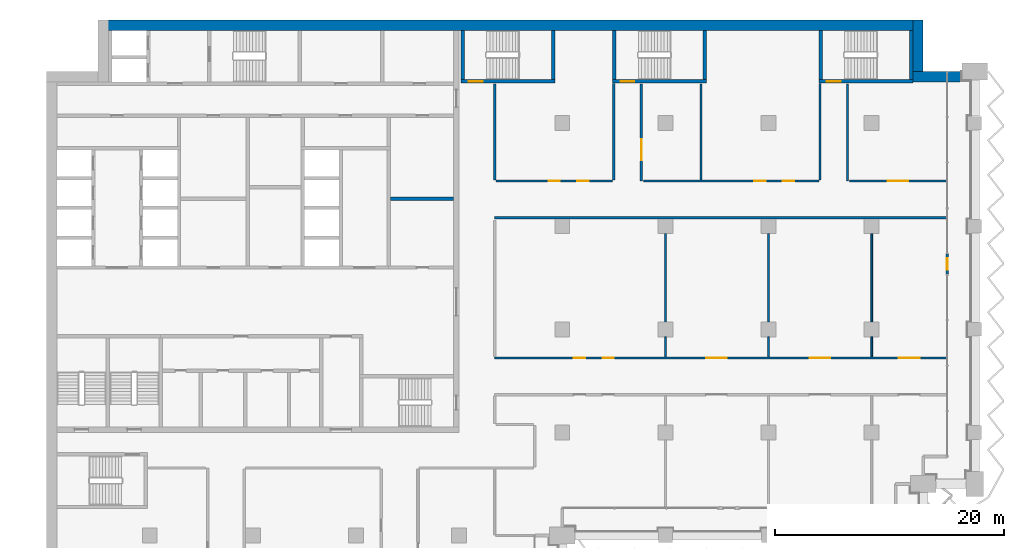
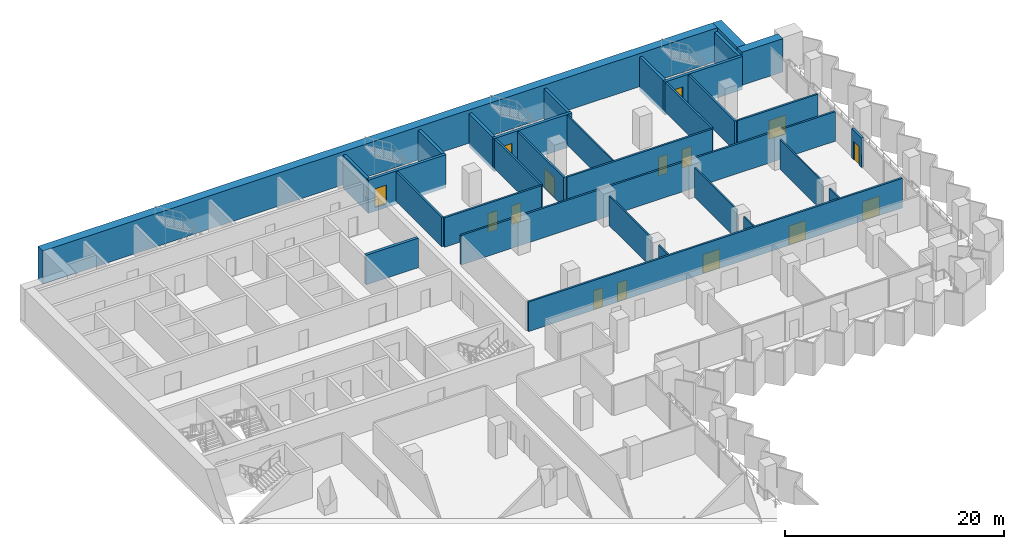
# One storey, part 14 of 22: 31 walls, 15 doors, 15 openings.
"""IFC4 building model written with IfcOpenShell, lengths in metres."""

from ifc_helpers import new_model, si_unit, direction, frame, frame_2d, origin, place, context, subcontext, project, spatial, rectangle, extrude, material, layer, layer_set, type_object, element, fill, save


model = new_model("IFC4")

# Units and contexts
model_context = context("Model", 3, precision=1e-05, world=origin(), true_north=direction((0.0, 1.0)))
body_context = subcontext(model_context, "Body", "Model", "MODEL_VIEW")
ifc_project = project(units=[si_unit("LENGTHUNIT", "METRE"), si_unit("AREAUNIT", "SQUARE_METRE"), si_unit("VOLUMEUNIT", "CUBIC_METRE"), si_unit("PLANEANGLEUNIT", "RADIAN"), si_unit("MASSUNIT", "GRAM", prefix="KILO")], contexts=[model_context])

# Site, building, storey
site_placement = place(None, origin())
site = spatial("IfcSite", under=ifc_project, at=site_placement, CompositionType="ELEMENT")
building_placement = place(site_placement, origin())
building = spatial("IfcBuilding", under=site, at=building_placement, Name="Hunhe Ridgeline Campus", CompositionType="ELEMENT")
storey_placement = place(building_placement, frame((0.0, 0.0, 114.39990234375)))
storey = spatial("IfcBuildingStorey", under=building, at=storey_placement, Name="L28", CompositionType="ELEMENT", Elevation=114.39990234375)

# Wall
ifc_material_1 = material(Name="Masonry concrete blockwork", Category="masonry")
ifc_layer_1 = layer(ifc_material_1, 0.300048828125)
ifc_layer_set_1 = layer_set([ifc_layer_1], Name="Core room partition 300 concrete block")
wall_type_1 = type_object("IfcWallType", Name="Core room partition 300 concrete block", PredefinedType="PARTITIONING", material=ifc_layer_set_1)
wall_1_placement = place(storey_placement, frame((30.0, 83.39990234375, 0.0), z_axis=(0.0, 0.0, 1.0), x_axis=(1.0, 0.0, 0.0)))
element("IfcWall", 1, at=wall_1_placement, inside=storey, type_object=wall_type_1, Name="L28 core partition 21", PredefinedType="PARTITIONING", context=body_context, shape_type="SweptSolid", body=[
    extrude(rectangle(XDim=5.5, YDim=0.300048828125, at=frame_2d((2.75, 0.0))), origin(), (0.0, 0.0, 1.0), 3.300048828125),
])

# Wall, openings, doors
ifc_material_2 = material(Name="Gypsum board partition")
ifc_layer_2 = layer(ifc_material_2, 0.199951171875)
ifc_layer_set_2 = layer_set([ifc_layer_2], Name="Corridor partition 200 gypsum board on steel studs")
wall_type_2 = type_object("IfcWallType", Name="Corridor partition 200 gypsum board on steel studs", PredefinedType="PARTITIONING", material=ifc_layer_set_2)
wall_2_placement = place(storey_placement, frame((39.10009765625, 69.5, 0.0), z_axis=(0.0, 0.0, 1.0), x_axis=(1.0, 0.0, 0.0)))
wall_2 = element("IfcWall", 2, at=wall_2_placement, inside=storey, type_object=wall_type_2, Name="F-L28-wall-036", PredefinedType="PARTITIONING", context=body_context, shape_type="SweptSolid", body=[
    extrude(rectangle(XDim=39.44482421875, YDim=0.199951171875, at=frame_2d((19.722412109375, 0.0))), origin(), (0.0, 0.0, 1.0), 3.300048828125),
])
opening_1_placement = place(wall_2_placement, frame((6.91162109375, 0.0, 0.0)))
opening_1 = element("IfcOpeningElement", 3, at=opening_1_placement, cuts=wall_2, Name="Opening RD1-024", PredefinedType="OPENING", context=body_context, shape_type="SweptSolid", body=[
    extrude(rectangle(XDim=1.0, YDim=2.10009765625, at=frame_2d((0.5, 1.050048828125))), frame((0.0, 0.10009765625, 0.0), z_axis=(0.0, -1.0, 0.0), x_axis=(1.0, 0.0, 0.0)), (0.0, 0.0, 1.0), 0.199951171875),
])
opening_2_placement = place(wall_2_placement, frame((9.41162109375, 0.0, 0.0)))
opening_2 = element("IfcOpeningElement", 4, at=opening_2_placement, cuts=wall_2, Name="Opening RD1-025", PredefinedType="OPENING", context=body_context, shape_type="SweptSolid", body=[
    extrude(rectangle(XDim=1.0, YDim=2.10009765625, at=frame_2d((0.5, 1.050048828125))), frame((0.0, 0.10009765625, 0.0), z_axis=(0.0, -1.0, 0.0), x_axis=(1.0, 0.0, 0.0)), (0.0, 0.0, 1.0), 0.199951171875),
])
opening_3_placement = place(wall_2_placement, frame((18.445556640625, 0.0, 0.0)))
opening_3 = element("IfcOpeningElement", 5, at=opening_3_placement, cuts=wall_2, Name="Opening RD2-026", PredefinedType="OPENING", context=body_context, shape_type="SweptSolid", body=[
    extrude(rectangle(XDim=1.800048828125, YDim=2.10009765625, at=frame_2d((0.89990234375, 1.050048828125))), frame((0.0, 0.10009765625, 0.0), z_axis=(0.0, -1.0, 0.0), x_axis=(1.0, 0.0, 0.0)), (0.0, 0.0, 1.0), 0.199951171875),
])
opening_4_placement = place(wall_2_placement, frame((27.490478515625, 0.0, 0.0)))
opening_4 = element("IfcOpeningElement", 6, at=opening_4_placement, cuts=wall_2, Name="Opening RD2-027", PredefinedType="OPENING", context=body_context, shape_type="SweptSolid", body=[
    extrude(rectangle(XDim=1.800048828125, YDim=2.10009765625, at=frame_2d((0.89990234375, 1.050048828125))), frame((0.0, 0.10009765625, 0.0), z_axis=(0.0, -1.0, 0.0), x_axis=(1.0, 0.0, 0.0)), (0.0, 0.0, 1.0), 0.199951171875),
])
opening_5_placement = place(wall_2_placement, frame((35.27880859375, 0.0, 0.0)))
opening_5 = element("IfcOpeningElement", 7, at=opening_5_placement, cuts=wall_2, Name="Opening RD2-028", PredefinedType="OPENING", context=body_context, shape_type="SweptSolid", body=[
    extrude(rectangle(XDim=1.800048828125, YDim=2.10009765625, at=frame_2d((0.89990234375, 1.050048828125))), frame((0.0, 0.10009765625, 0.0), z_axis=(0.0, -1.0, 0.0), x_axis=(1.0, 0.0, 0.0)), (0.0, 0.0, 1.0), 0.199951171875),
])
ifc_material_3 = material(Name="Timber door leaf", Category="wood")
door_type_1 = type_object("IfcDoorType", Name="Double fire door 1800x2100 timber FD60", OperationType="DOUBLE_DOOR_SINGLE_SWING", PredefinedType="DOOR", material=ifc_material_3)
door_1_placement = place(opening_3_placement, origin())
door_1 = element("IfcDoor", 8, at=door_1_placement, inside=storey, type_object=door_type_1, Name="F-L28-door-026", OperationType="DOUBLE_DOOR_SINGLE_SWING", OverallHeight=2.10009765625, OverallWidth=1.800048828125, PredefinedType="DOOR", context=body_context, shape_type="SweptSolid", body=[
    extrude(rectangle(XDim=1.800048828125, YDim=2.10009765625, at=frame_2d((0.89990234375, 1.050048828125))), frame((0.0, 0.02490234375, 0.0), z_axis=(0.0, -1.0, 0.0), x_axis=(1.0, 0.0, 0.0)), (0.0, 0.0, 1.0), 0.050048828125),
])
fill(opening_3, door_1)
door_2_placement = place(opening_4_placement, origin())
door_2 = element("IfcDoor", 9, at=door_2_placement, inside=storey, type_object=door_type_1, Name="F-L28-door-027", OperationType="DOUBLE_DOOR_SINGLE_SWING", OverallHeight=2.10009765625, OverallWidth=1.800048828125, PredefinedType="DOOR", context=body_context, shape_type="SweptSolid", body=[
    extrude(rectangle(XDim=1.800048828125, YDim=2.10009765625, at=frame_2d((0.89990234375, 1.050048828125))), frame((0.0, 0.02490234375, 0.0), z_axis=(0.0, -1.0, 0.0), x_axis=(1.0, 0.0, 0.0)), (0.0, 0.0, 1.0), 0.050048828125),
])
fill(opening_4, door_2)
door_3_placement = place(opening_5_placement, origin())
door_3 = element("IfcDoor", 10, at=door_3_placement, inside=storey, type_object=door_type_1, Name="F-L28-door-028", OperationType="DOUBLE_DOOR_SINGLE_SWING", OverallHeight=2.10009765625, OverallWidth=1.800048828125, PredefinedType="DOOR", context=body_context, shape_type="SweptSolid", body=[
    extrude(rectangle(XDim=1.800048828125, YDim=2.10009765625, at=frame_2d((0.89990234375, 1.050048828125))), frame((0.0, 0.02490234375, 0.0), z_axis=(0.0, -1.0, 0.0), x_axis=(1.0, 0.0, 0.0)), (0.0, 0.0, 1.0), 0.050048828125),
])
fill(opening_5, door_3)
door_type_2 = type_object("IfcDoorType", Name="Single fire door 1000x2100 timber FD60", OperationType="NOTDEFINED", PredefinedType="DOOR", material=ifc_material_3)
door_4_placement = place(opening_1_placement, frame((1.0, 0.0, 0.0), z_axis=(0.0, 0.0, 1.0), x_axis=(-1.0, 0.0, 0.0)))
door_4 = element("IfcDoor", 11, at=door_4_placement, inside=storey, type_object=door_type_2, Name="F-L28-door-024", OperationType="SINGLE_SWING_RIGHT", OverallHeight=2.10009765625, OverallWidth=1.0, PredefinedType="DOOR", context=body_context, shape_type="SweptSolid", body=[
    extrude(rectangle(XDim=1.0, YDim=2.10009765625, at=frame_2d((0.5, 1.050048828125))), frame((0.0, 0.02490234375, 0.0), z_axis=(0.0, -1.0, 0.0), x_axis=(1.0, 0.0, 0.0)), (0.0, 0.0, 1.0), 0.050048828125),
])
fill(opening_1, door_4)
door_5_placement = place(opening_2_placement, frame((1.0, 0.0, 0.0), z_axis=(0.0, 0.0, 1.0), x_axis=(-1.0, 0.0, 0.0)))
door_5 = element("IfcDoor", 12, at=door_5_placement, inside=storey, type_object=door_type_2, Name="F-L28-door-025", OperationType="SINGLE_SWING_LEFT", OverallHeight=2.10009765625, OverallWidth=1.0, PredefinedType="DOOR", context=body_context, shape_type="SweptSolid", body=[
    extrude(rectangle(XDim=1.0, YDim=2.10009765625, at=frame_2d((0.5, 1.050048828125))), frame((0.0, 0.02490234375, 0.0), z_axis=(0.0, -1.0, 0.0), x_axis=(1.0, 0.0, 0.0)), (0.0, 0.0, 1.0), 0.050048828125),
])
fill(opening_2, door_5)

# Wall
wall_3_placement = place(storey_placement, frame((78.544921875, 81.75, 0.0), z_axis=(0.0, 0.0, 1.0), x_axis=(-1.0, 0.0, 0.0)))
element("IfcWall", 13, at=wall_3_placement, inside=storey, type_object=wall_type_2, Name="F-L28-wall-037", PredefinedType="PARTITIONING", context=body_context, shape_type="SweptSolid", body=[
    extrude(rectangle(XDim=39.44482421875, YDim=0.199951171875, at=frame_2d((19.722412109375, 0.0))), origin(), (0.0, 0.0, 1.0), 3.300048828125),
])

# Wall, openings, doors
wall_4_placement = place(storey_placement, frame((39.199951171875, 84.949951171875, 0.0), z_axis=(0.0, 0.0, 1.0), x_axis=(1.0, 0.0, 0.0)))
wall_4 = element("IfcWall", 14, at=wall_4_placement, inside=storey, type_object=wall_type_2, Name="F-L28-wall-038", PredefinedType="PARTITIONING", context=body_context, shape_type="SweptSolid", body=[
    extrude(rectangle(XDim=10.199951171875, YDim=0.199951171875, at=frame_2d((5.10009765625, 0.0))), origin(), (0.0, 0.0, 1.0), 3.300048828125),
])
opening_6_placement = place(wall_4_placement, frame((4.60009765625, 0.0, 0.0)))
opening_6 = element("IfcOpeningElement", 15, at=opening_6_placement, cuts=wall_4, Name="Opening RD1-029", PredefinedType="OPENING", context=body_context, shape_type="SweptSolid", body=[
    extrude(rectangle(XDim=1.0, YDim=2.10009765625, at=frame_2d((0.5, 1.050048828125))), frame((0.0, 0.10009765625, 0.0), z_axis=(0.0, -1.0, 0.0), x_axis=(1.0, 0.0, 0.0)), (0.0, 0.0, 1.0), 0.199951171875),
])
opening_7_placement = place(wall_4_placement, frame((7.10009765625, 0.0, 0.0)))
opening_7 = element("IfcOpeningElement", 16, at=opening_7_placement, cuts=wall_4, Name="Opening RD1-030", PredefinedType="OPENING", context=body_context, shape_type="SweptSolid", body=[
    extrude(rectangle(XDim=1.0, YDim=2.10009765625, at=frame_2d((0.5, 1.050048828125))), frame((0.0, 0.10009765625, 0.0), z_axis=(0.0, -1.0, 0.0), x_axis=(1.0, 0.0, 0.0)), (0.0, 0.0, 1.0), 0.199951171875),
])
door_6_placement = place(opening_6_placement, frame((1.0, 0.0, 0.0), z_axis=(0.0, 0.0, 1.0), x_axis=(-1.0, 0.0, 0.0)))
door_6 = element("IfcDoor", 17, at=door_6_placement, inside=storey, type_object=door_type_2, Name="F-L28-door-029", OperationType="SINGLE_SWING_LEFT", OverallHeight=2.10009765625, OverallWidth=1.0, PredefinedType="DOOR", context=body_context, shape_type="SweptSolid", body=[
    extrude(rectangle(XDim=1.0, YDim=2.10009765625, at=frame_2d((0.5, 1.050048828125))), frame((0.0, 0.02490234375, 0.0), z_axis=(0.0, -1.0, 0.0), x_axis=(1.0, 0.0, 0.0)), (0.0, 0.0, 1.0), 0.050048828125),
])
fill(opening_6, door_6)
door_7_placement = place(opening_7_placement, frame((1.0, 0.0, 0.0), z_axis=(0.0, 0.0, 1.0), x_axis=(-1.0, 0.0, 0.0)))
door_7 = element("IfcDoor", 18, at=door_7_placement, inside=storey, type_object=door_type_2, Name="F-L28-door-030", OperationType="SINGLE_SWING_LEFT", OverallHeight=2.10009765625, OverallWidth=1.0, PredefinedType="DOOR", context=body_context, shape_type="SweptSolid", body=[
    extrude(rectangle(XDim=1.0, YDim=2.10009765625, at=frame_2d((0.5, 1.050048828125))), frame((0.0, 0.02490234375, 0.0), z_axis=(0.0, -1.0, 0.0), x_axis=(1.0, 0.0, 0.0)), (0.0, 0.0, 1.0), 0.050048828125),
])
fill(opening_7, door_7)

wall_5_placement = place(storey_placement, frame((52.081787109375, 84.949951171875, 0.0), z_axis=(0.0, 0.0, 1.0), x_axis=(1.0, 0.0, 0.0)))
wall_5 = element("IfcWall", 19, at=wall_5_placement, inside=storey, type_object=wall_type_2, Name="F-L28-wall-039", PredefinedType="PARTITIONING", context=body_context, shape_type="SweptSolid", body=[
    extrude(rectangle(XDim=15.318115234375, YDim=0.199951171875, at=frame_2d((7.6591796875, 0.0))), origin(), (0.0, 0.0, 1.0), 3.300048828125),
])
opening_8_placement = place(wall_5_placement, frame((9.670166015625, 0.0, 0.0)))
opening_8 = element("IfcOpeningElement", 20, at=opening_8_placement, cuts=wall_5, Name="Opening RD1-031", PredefinedType="OPENING", context=body_context, shape_type="SweptSolid", body=[
    extrude(rectangle(XDim=1.0, YDim=2.10009765625, at=frame_2d((0.5, 1.050048828125))), frame((0.0, 0.10009765625, 0.0), z_axis=(0.0, -1.0, 0.0), x_axis=(1.0, 0.0, 0.0)), (0.0, 0.0, 1.0), 0.199951171875),
])
opening_9_placement = place(wall_5_placement, frame((12.170166015625, 0.0, 0.0)))
opening_9 = element("IfcOpeningElement", 21, at=opening_9_placement, cuts=wall_5, Name="Opening RD1-032", PredefinedType="OPENING", context=body_context, shape_type="SweptSolid", body=[
    extrude(rectangle(XDim=1.0, YDim=2.10009765625, at=frame_2d((0.5, 1.050048828125))), frame((0.0, 0.10009765625, 0.0), z_axis=(0.0, -1.0, 0.0), x_axis=(1.0, 0.0, 0.0)), (0.0, 0.0, 1.0), 0.199951171875),
])
door_8_placement = place(opening_8_placement, frame((1.0, 0.0, 0.0), z_axis=(0.0, 0.0, 1.0), x_axis=(-1.0, 0.0, 0.0)))
door_8 = element("IfcDoor", 22, at=door_8_placement, inside=storey, type_object=door_type_2, Name="F-L28-door-031", OperationType="SINGLE_SWING_LEFT", OverallHeight=2.10009765625, OverallWidth=1.0, PredefinedType="DOOR", context=body_context, shape_type="SweptSolid", body=[
    extrude(rectangle(XDim=1.0, YDim=2.10009765625, at=frame_2d((0.5, 1.050048828125))), frame((0.0, 0.02490234375, 0.0), z_axis=(0.0, -1.0, 0.0), x_axis=(1.0, 0.0, 0.0)), (0.0, 0.0, 1.0), 0.050048828125),
])
fill(opening_8, door_8)
door_9_placement = place(opening_9_placement, frame((1.0, 0.0, 0.0), z_axis=(0.0, 0.0, 1.0), x_axis=(-1.0, 0.0, 0.0)))
door_9 = element("IfcDoor", 23, at=door_9_placement, inside=storey, type_object=door_type_2, Name="F-L28-door-032", OperationType="SINGLE_SWING_LEFT", OverallHeight=2.10009765625, OverallWidth=1.0, PredefinedType="DOOR", context=body_context, shape_type="SweptSolid", body=[
    extrude(rectangle(XDim=1.0, YDim=2.10009765625, at=frame_2d((0.5, 1.050048828125))), frame((0.0, 0.02490234375, 0.0), z_axis=(0.0, -1.0, 0.0), x_axis=(1.0, 0.0, 0.0)), (0.0, 0.0, 1.0), 0.050048828125),
])
fill(opening_9, door_9)

# Wall, opening, door
wall_6_placement = place(storey_placement, frame((70.056884765625, 84.949951171875, 0.0), z_axis=(0.0, 0.0, 1.0), x_axis=(1.0, 0.0, 0.0)))
wall_6 = element("IfcWall", 24, at=wall_6_placement, inside=storey, type_object=wall_type_2, Name="F-L28-wall-040", PredefinedType="PARTITIONING", context=body_context, shape_type="SweptSolid", body=[
    extrude(rectangle(XDim=8.488037109375, YDim=0.199951171875, at=frame_2d((4.244140625, 0.0))), origin(), (0.0, 0.0, 1.0), 3.300048828125),
])
opening_10_placement = place(wall_6_placement, frame((3.343994140625, 0.0, 0.0)))
opening_10 = element("IfcOpeningElement", 25, at=opening_10_placement, cuts=wall_6, Name="Opening RD2-033", PredefinedType="OPENING", context=body_context, shape_type="SweptSolid", body=[
    extrude(rectangle(XDim=1.800048828125, YDim=2.10009765625, at=frame_2d((0.89990234375, 1.050048828125))), frame((0.0, 0.10009765625, 0.0), z_axis=(0.0, -1.0, 0.0), x_axis=(1.0, 0.0, 0.0)), (0.0, 0.0, 1.0), 0.199951171875),
])
door_10_placement = place(opening_10_placement, origin())
door_10 = element("IfcDoor", 26, at=door_10_placement, inside=storey, type_object=door_type_1, Name="F-L28-door-033", OperationType="DOUBLE_DOOR_SINGLE_SWING", OverallHeight=2.10009765625, OverallWidth=1.800048828125, PredefinedType="DOOR", context=body_context, shape_type="SweptSolid", body=[
    extrude(rectangle(XDim=1.800048828125, YDim=2.10009765625, at=frame_2d((0.89990234375, 1.050048828125))), frame((0.0, 0.02490234375, 0.0), z_axis=(0.0, -1.0, 0.0), x_axis=(1.0, 0.0, 0.0)), (0.0, 0.0, 1.0), 0.050048828125),
])
fill(opening_10, door_10)

# Walls
wall_7_placement = place(storey_placement, frame((39.10009765625, 93.39599609375, 0.0), z_axis=(0.0, 0.0, 1.0), x_axis=(0.0, -1.0, 0.0)))
element("IfcWall", 27, at=wall_7_placement, inside=storey, type_object=wall_type_2, Name="F-L28-wall-052", PredefinedType="PARTITIONING", context=body_context, shape_type="SweptSolid", body=[
    extrude(rectangle(XDim=8.345947265625, YDim=0.199951171875, at=frame_2d((4.1728515625, 0.0))), origin(), (0.0, 0.0, 1.0), 3.300048828125),
])
wall_8_placement = place(storey_placement, frame((49.5, 85.050048828125, 0.0), z_axis=(0.0, 0.0, 1.0), x_axis=(0.0, 1.0, 0.0)))
element("IfcWall", 28, at=wall_8_placement, inside=storey, type_object=wall_type_2, Name="F-L28-wall-054", PredefinedType="PARTITIONING", context=body_context, shape_type="SweptSolid", body=[
    extrude(rectangle(XDim=8.419921875, YDim=0.199951171875, at=frame_2d((4.2099609375, 0.0))), origin(), (0.0, 0.0, 1.0), 3.300048828125),
])

# Wall, opening, door
wall_9_placement = place(storey_placement, frame((51.89990234375, 93.39599609375, 0.0), z_axis=(0.0, 0.0, 1.0), x_axis=(0.0, -1.0, 0.0)))
wall_9 = element("IfcWall", 29, at=wall_9_placement, inside=storey, type_object=wall_type_2, Name="F-L28-wall-055", PredefinedType="PARTITIONING", context=body_context, shape_type="SweptSolid", body=[
    extrude(rectangle(XDim=8.446044921875, YDim=0.199951171875, at=frame_2d((4.22314453125, 0.0))), origin(), (0.0, 0.0, 1.0), 3.300048828125),
])
opening_11_placement = place(wall_9_placement, frame((4.822998046875, 0.0, 0.0)))
opening_11 = element("IfcOpeningElement", 30, at=opening_11_placement, cuts=wall_9, Name="Opening RD2-034", PredefinedType="OPENING", context=body_context, shape_type="SweptSolid", body=[
    extrude(rectangle(XDim=1.800048828125, YDim=2.10009765625, at=frame_2d((0.89990234375, 1.050048828125))), frame((0.0, 0.10009765625, 0.0), z_axis=(0.0, -1.0, 0.0), x_axis=(1.0, 0.0, 0.0)), (0.0, 0.0, 1.0), 0.199951171875),
])
door_11_placement = place(opening_11_placement, origin())
door_11 = element("IfcDoor", 31, at=door_11_placement, inside=storey, type_object=door_type_1, Name="F-L28-door-034", OperationType="DOUBLE_DOOR_SINGLE_SWING", OverallHeight=2.10009765625, OverallWidth=1.800048828125, PredefinedType="DOOR", context=body_context, shape_type="SweptSolid", body=[
    extrude(rectangle(XDim=1.800048828125, YDim=2.10009765625, at=frame_2d((0.89990234375, 1.050048828125))), frame((0.0, 0.02490234375, 0.0), z_axis=(0.0, -1.0, 0.0), x_axis=(1.0, 0.0, 0.0)), (0.0, 0.0, 1.0), 0.050048828125),
])
fill(opening_11, door_11)

# Walls
wall_10_placement = place(storey_placement, frame((67.5, 85.050048828125, 0.0), z_axis=(0.0, 0.0, 1.0), x_axis=(0.0, 1.0, 0.0)))
element("IfcWall", 32, at=wall_10_placement, inside=storey, type_object=wall_type_2, Name="F-L28-wall-065", PredefinedType="PARTITIONING", context=body_context, shape_type="SweptSolid", body=[
    extrude(rectangle(XDim=8.419921875, YDim=0.199951171875, at=frame_2d((4.2099609375, 0.0))), origin(), (0.0, 0.0, 1.0), 3.300048828125),
])
wall_11_placement = place(storey_placement, frame((69.89990234375, 93.39599609375, 0.0), z_axis=(0.0, 0.0, 1.0), x_axis=(0.0, -1.0, 0.0)))
element("IfcWall", 33, at=wall_11_placement, inside=storey, type_object=wall_type_2, Name="F-L28-wall-066", PredefinedType="PARTITIONING", context=body_context, shape_type="SweptSolid", body=[
    extrude(rectangle(XDim=8.446044921875, YDim=0.199951171875, at=frame_2d((4.22314453125, 0.0))), origin(), (0.0, 0.0, 1.0), 3.300048828125),
])

# Wall, opening, door
ifc_material_4 = material(Name="Concrete C30", Category="concrete")
ifc_layer_3 = layer(ifc_material_4, 0.25)
ifc_layer_set_3 = layer_set([ifc_layer_3], Name="Loggia door pier wall 250 Concrete C30")
wall_type_3 = type_object("IfcWallType", Name="Loggia door pier wall 250 Concrete C30", PredefinedType="SOLIDWALL", material=ifc_layer_set_3)
wall_12_placement = place(storey_placement, frame((78.59912109375, 76.800537109375, 0.0), z_axis=(0.0, 0.0, 1.0), x_axis=(0.0, 1.0, 0.0)))
wall_12 = element("IfcWall", 34, at=wall_12_placement, inside=storey, type_object=wall_type_3, Name="Loggia door pier 4", PredefinedType="SOLIDWALL", context=body_context, shape_type="SweptSolid", body=[
    extrude(rectangle(XDim=1.800048828125, YDim=0.25, at=frame_2d((0.89990234375, 0.0))), origin(), (0.0, 0.0, 1.0), 3.300048828125),
])
opening_12_placement = place(wall_12_placement, frame((0.39990234375, 0.0, 0.0)))
opening_12 = element("IfcOpeningElement", 35, at=opening_12_placement, cuts=wall_12, Name="Opening BD207", PredefinedType="OPENING", context=body_context, shape_type="SweptSolid", body=[
    extrude(rectangle(XDim=1.0, YDim=2.10009765625, at=frame_2d((0.5, 1.050048828125))), frame((0.0, 0.125, 0.0), z_axis=(0.0, -1.0, 0.0), x_axis=(1.0, 0.0, 0.0)), (0.0, 0.0, 1.0), 0.25),
])
ifc_material_5 = material(Name="Aluminium 6063", Category="aluminium")
door_type_3 = type_object("IfcDoorType", Name="Loggia glazed door 1000x2100", OperationType="NOTDEFINED", PredefinedType="DOOR", material=ifc_material_5)
door_12_placement = place(opening_12_placement, frame((1.0, 0.0, 0.0), z_axis=(0.0, 0.0, 1.0), x_axis=(-1.0, 0.0, 0.0)))
door_12 = element("IfcDoor", 36, at=door_12_placement, inside=storey, type_object=door_type_3, Name="Loggia door BD207", OperationType="SINGLE_SWING_RIGHT", OverallHeight=2.10009765625, OverallWidth=1.0, PredefinedType="DOOR", context=body_context, shape_type="SweptSolid", body=[
    extrude(rectangle(XDim=1.0, YDim=2.10009765625, at=frame_2d((0.5, 1.050048828125))), frame((0.0, 0.02490234375, 0.0), z_axis=(0.0, -1.0, 0.0), x_axis=(1.0, 0.0, 0.0)), (0.0, 0.0, 1.0), 0.050048828125),
])
fill(opening_12, door_12)

# Walls
ifc_layer_4 = layer(ifc_material_2, 0.14990234375)
ifc_layer_set_4 = layer_set([ifc_layer_4], Name="Room partition 150 gypsum board on steel studs")
wall_type_4 = type_object("IfcWallType", Name="Room partition 150 gypsum board on steel studs", PredefinedType="PARTITIONING", material=ifc_layer_set_4)
wall_13_placement = place(storey_placement, frame((54.0, 71.35009765625, 0.0), z_axis=(0.0, 0.0, 1.0), x_axis=(0.0, -1.0, 0.0)))
element("IfcWall", 37, at=wall_13_placement, inside=storey, type_object=wall_type_4, Name="F-L28-wall-058", PredefinedType="PARTITIONING", context=body_context, shape_type="SweptSolid", body=[
    extrude(rectangle(XDim=1.75, YDim=0.14990234375, at=frame_2d((0.875, 0.0))), origin(), (0.0, 0.0, 1.0), 3.300048828125),
])
wall_14_placement = place(storey_placement, frame((54.0, 80.35009765625, 0.0), z_axis=(0.0, 0.0, 1.0), x_axis=(0.0, -1.0, 0.0)))
element("IfcWall", 38, at=wall_14_placement, inside=storey, type_object=wall_type_4, Name="F-L28-wall-059", PredefinedType="PARTITIONING", context=body_context, shape_type="SweptSolid", body=[
    extrude(rectangle(XDim=7.7001953125, YDim=0.14990234375, at=frame_2d((3.85009765625, 0.0))), origin(), (0.0, 0.0, 1.0), 3.300048828125),
])
wall_15_placement = place(storey_placement, frame((57.10009765625, 93.39599609375, 0.0), z_axis=(0.0, 0.0, 1.0), x_axis=(0.0, -1.0, 0.0)))
element("IfcWall", 39, at=wall_15_placement, inside=storey, type_object=wall_type_4, Name="F-L28-wall-060", PredefinedType="PARTITIONING", context=body_context, shape_type="SweptSolid", body=[
    extrude(rectangle(XDim=8.345947265625, YDim=0.14990234375, at=frame_2d((4.1728515625, 0.0))), origin(), (0.0, 0.0, 1.0), 3.300048828125),
])
wall_16_placement = place(storey_placement, frame((63.0, 71.35009765625, 0.0), z_axis=(0.0, 0.0, 1.0), x_axis=(0.0, -1.0, 0.0)))
element("IfcWall", 40, at=wall_16_placement, inside=storey, type_object=wall_type_4, Name="F-L28-wall-063", PredefinedType="PARTITIONING", context=body_context, shape_type="SweptSolid", body=[
    extrude(rectangle(XDim=1.75, YDim=0.14990234375, at=frame_2d((0.875, 0.0))), origin(), (0.0, 0.0, 1.0), 3.300048828125),
])
wall_17_placement = place(storey_placement, frame((63.0, 80.35009765625, 0.0), z_axis=(0.0, 0.0, 1.0), x_axis=(0.0, -1.0, 0.0)))
element("IfcWall", 41, at=wall_17_placement, inside=storey, type_object=wall_type_4, Name="F-L28-wall-064", PredefinedType="PARTITIONING", context=body_context, shape_type="SweptSolid", body=[
    extrude(rectangle(XDim=7.7001953125, YDim=0.14990234375, at=frame_2d((3.85009765625, 0.0))), origin(), (0.0, 0.0, 1.0), 3.300048828125),
])
wall_18_placement = place(storey_placement, frame((72.0, 71.35009765625, 0.0), z_axis=(0.0, 0.0, 1.0), x_axis=(0.0, -1.0, 0.0)))
element("IfcWall", 42, at=wall_18_placement, inside=storey, type_object=wall_type_4, Name="F-L28-wall-069", PredefinedType="PARTITIONING", context=body_context, shape_type="SweptSolid", body=[
    extrude(rectangle(XDim=1.75, YDim=0.14990234375, at=frame_2d((0.875, 0.0))), origin(), (0.0, 0.0, 1.0), 3.300048828125),
])
wall_19_placement = place(storey_placement, frame((72.0, 80.35009765625, 0.0), z_axis=(0.0, 0.0, 1.0), x_axis=(0.0, -1.0, 0.0)))
element("IfcWall", 43, at=wall_19_placement, inside=storey, type_object=wall_type_4, Name="F-L28-wall-070", PredefinedType="PARTITIONING", context=body_context, shape_type="SweptSolid", body=[
    extrude(rectangle(XDim=7.7001953125, YDim=0.14990234375, at=frame_2d((3.85009765625, 0.0))), origin(), (0.0, 0.0, 1.0), 3.300048828125),
])
ifc_material_6 = material(Name="Concrete C70", Category="concrete")
ifc_layer_5 = layer(ifc_material_6, 0.89990234375)
ifc_layer_set_5 = layer_set([ifc_layer_5], Name="Spine wall 900 Concrete C70")
wall_type_5 = type_object("IfcWallType", Name="Spine wall 900 Concrete C70", PredefinedType="SHEAR", material=ifc_layer_set_5)
wall_20_placement = place(storey_placement, frame((79.89990234375, 94.050048828125, 0.0), z_axis=(0.0, 0.0, 1.0), x_axis=(-1.0, 0.0, 0.0)))
element("IfcWall", 44, at=wall_20_placement, inside=storey, type_object=wall_type_5, Name="Spine wall SW2-2 L28", PredefinedType="SHEAR", context=body_context, shape_type="SweptSolid", body=[
    extrude(rectangle(XDim=4.30029296875, YDim=0.89990234375, at=frame_2d((2.150146484375, 0.0))), origin(), (0.0, 0.0, 1.0), 3.7001953125),
])
wall_21_placement = place(storey_placement, frame((76.050048828125, 93.60009765625, 0.0), z_axis=(0.0, 0.0, 1.0), x_axis=(0.0, 1.0, 0.0)))
element("IfcWall", 45, at=wall_21_placement, inside=storey, type_object=wall_type_5, Name="Spine wall SW2-3 L28", PredefinedType="SHEAR", context=body_context, shape_type="SweptSolid", body=[
    extrude(rectangle(XDim=5.39990234375, YDim=0.89990234375, at=frame_2d((2.699951171875, 0.0))), origin(), (0.0, 0.0, 1.0), 3.7001953125),
])
wall_22_placement = place(storey_placement, frame((76.5, 98.550048828125, 0.0), z_axis=(0.0, 0.0, 1.0), x_axis=(-1.0, 0.0, 0.0)))
element("IfcWall", 46, at=wall_22_placement, inside=storey, type_object=wall_type_5, Name="Spine wall SW2-4 L28", PredefinedType="SHEAR", context=body_context, shape_type="SweptSolid", body=[
    extrude(rectangle(XDim=72.0, YDim=0.89990234375, at=frame_2d((36.0, 0.0))), origin(), (0.0, 0.0, 1.0), 3.7001953125),
])

# Wall, opening, door
ifc_material_7 = material(Name="Concrete C80", Category="concrete")
ifc_layer_6 = layer(ifc_material_7, 0.300048828125)
ifc_layer_set_6 = layer_set([ifc_layer_6], Name="Stair wall 300 reinforced concrete C80")
wall_type_6 = type_object("IfcWallType", Name="Stair wall 300 reinforced concrete C80", PredefinedType="SOLIDWALL", material=ifc_layer_set_6)
wall_23_placement = place(storey_placement, frame((36.14990234375, 93.64990234375, -0.39990234375), z_axis=(0.0, 0.0, 1.0), x_axis=(1.0, 0.0, 0.0)))
wall_23 = element("IfcWall", 47, at=wall_23_placement, inside=storey, type_object=wall_type_6, Name="L28 core wall 30", PredefinedType="SOLIDWALL", context=body_context, shape_type="SweptSolid", body=[
    extrude(rectangle(XDim=8.2001953125, YDim=0.300048828125, at=frame_2d((4.10009765625, 0.0))), origin(), (0.0, 0.0, 1.0), 3.699951171875),
])
opening_13_placement = place(wall_23_placement, frame((0.699951171875, 0.0, 0.39990234375)))
opening_13 = element("IfcOpeningElement", 48, at=opening_13_placement, cuts=wall_23, Name="Opening CD17", PredefinedType="OPENING", context=body_context, shape_type="SweptSolid", body=[
    extrude(rectangle(XDim=1.199951171875, YDim=2.10009765625, at=frame_2d((0.60009765625, 1.050048828125))), frame((0.0, 0.14990234375, 0.0), z_axis=(0.0, -1.0, 0.0), x_axis=(1.0, 0.0, 0.0)), (0.0, 0.0, 1.0), 0.300048828125),
])
ifc_material_8 = material(Name="Hollow metal fire door leaf")
door_type_4 = type_object("IfcDoorType", Name="Stair door 1200x2100 FD60", OperationType="SINGLE_SWING_LEFT", PredefinedType="DOOR", material=ifc_material_8)
door_13_placement = place(opening_13_placement, frame((1.199951171875, 0.0, 0.0), z_axis=(0.0, 0.0, 1.0), x_axis=(-1.0, 0.0, 0.0)))
door_13 = element("IfcDoor", 49, at=door_13_placement, inside=storey, type_object=door_type_4, Name="L28 door E1", OperationType="SINGLE_SWING_RIGHT", OverallHeight=2.10009765625, OverallWidth=1.199951171875, PredefinedType="DOOR", context=body_context, shape_type="SweptSolid", body=[
    extrude(rectangle(XDim=1.199951171875, YDim=2.10009765625, at=frame_2d((0.60009765625, 1.050048828125))), frame((0.0, 0.02490234375, 0.0), z_axis=(0.0, -1.0, 0.0), x_axis=(1.0, 0.0, 0.0)), (0.0, 0.0, 1.0), 0.050048828125),
])
fill(opening_13, door_13)

wall_24_placement = place(storey_placement, frame((49.39990234375, 93.64990234375, -0.39990234375), z_axis=(0.0, 0.0, 1.0), x_axis=(1.0, 0.0, 0.0)))
wall_24 = element("IfcWall", 50, at=wall_24_placement, inside=storey, type_object=wall_type_6, Name="L28 core wall 31", PredefinedType="SOLIDWALL", context=body_context, shape_type="SweptSolid", body=[
    extrude(rectangle(XDim=8.2001953125, YDim=0.300048828125, at=frame_2d((4.10009765625, 0.0))), origin(), (0.0, 0.0, 1.0), 3.699951171875),
])
opening_14_placement = place(wall_24_placement, frame((0.699951171875, 0.0, 0.39990234375)))
opening_14 = element("IfcOpeningElement", 51, at=opening_14_placement, cuts=wall_24, Name="Opening CD18", PredefinedType="OPENING", context=body_context, shape_type="SweptSolid", body=[
    extrude(rectangle(XDim=1.199951171875, YDim=2.10009765625, at=frame_2d((0.60009765625, 1.050048828125))), frame((0.0, 0.14990234375, 0.0), z_axis=(0.0, -1.0, 0.0), x_axis=(1.0, 0.0, 0.0)), (0.0, 0.0, 1.0), 0.300048828125),
])
door_14_placement = place(opening_14_placement, frame((1.199951171875, 0.0, 0.0), z_axis=(0.0, 0.0, 1.0), x_axis=(-1.0, 0.0, 0.0)))
door_14 = element("IfcDoor", 52, at=door_14_placement, inside=storey, type_object=door_type_4, Name="L28 door E2", OperationType="SINGLE_SWING_LEFT", OverallHeight=2.10009765625, OverallWidth=1.199951171875, PredefinedType="DOOR", context=body_context, shape_type="SweptSolid", body=[
    extrude(rectangle(XDim=1.199951171875, YDim=2.10009765625, at=frame_2d((0.60009765625, 1.050048828125))), frame((0.0, 0.02490234375, 0.0), z_axis=(0.0, -1.0, 0.0), x_axis=(1.0, 0.0, 0.0)), (0.0, 0.0, 1.0), 0.050048828125),
])
fill(opening_14, door_14)

wall_25_placement = place(storey_placement, frame((67.39990234375, 93.64990234375, -0.39990234375), z_axis=(0.0, 0.0, 1.0), x_axis=(1.0, 0.0, 0.0)))
wall_25 = element("IfcWall", 53, at=wall_25_placement, inside=storey, type_object=wall_type_6, Name="L28 core wall 32", PredefinedType="SOLIDWALL", context=body_context, shape_type="SweptSolid", body=[
    extrude(rectangle(XDim=8.2001953125, YDim=0.300048828125, at=frame_2d((4.10009765625, 0.0))), origin(), (0.0, 0.0, 1.0), 3.699951171875),
])
opening_15_placement = place(wall_25_placement, frame((0.699951171875, 0.0, 0.39990234375)))
opening_15 = element("IfcOpeningElement", 54, at=opening_15_placement, cuts=wall_25, Name="Opening CD19", PredefinedType="OPENING", context=body_context, shape_type="SweptSolid", body=[
    extrude(rectangle(XDim=1.199951171875, YDim=2.10009765625, at=frame_2d((0.60009765625, 1.050048828125))), frame((0.0, 0.14990234375, 0.0), z_axis=(0.0, -1.0, 0.0), x_axis=(1.0, 0.0, 0.0)), (0.0, 0.0, 1.0), 0.300048828125),
])
door_15_placement = place(opening_15_placement, frame((1.199951171875, 0.0, 0.0), z_axis=(0.0, 0.0, 1.0), x_axis=(-1.0, 0.0, 0.0)))
door_15 = element("IfcDoor", 55, at=door_15_placement, inside=storey, type_object=door_type_4, Name="L28 door E3", OperationType="SINGLE_SWING_RIGHT", OverallHeight=2.10009765625, OverallWidth=1.199951171875, PredefinedType="DOOR", context=body_context, shape_type="SweptSolid", body=[
    extrude(rectangle(XDim=1.199951171875, YDim=2.10009765625, at=frame_2d((0.60009765625, 1.050048828125))), frame((0.0, 0.02490234375, 0.0), z_axis=(0.0, -1.0, 0.0), x_axis=(1.0, 0.0, 0.0)), (0.0, 0.0, 1.0), 0.050048828125),
])
fill(opening_15, door_15)

# Walls
for number, where, z_axis, x_axis, name in (
    (56, (36.300048828125, 93.800048828125, -0.39990234375), (0.0, 0.0, 1.0), (0.0, 1.0, 0.0), "L28 core wall 62"),
    (57, (44.199951171875, 93.800048828125, -0.39990234375), (0.0, 0.0, 1.0), (0.0, 1.0, 0.0), "L28 core wall 63"),
    (58, (49.550048828125, 93.800048828125, -0.39990234375), (0.0, 0.0, 1.0), (0.0, 1.0, 0.0), "L28 core wall 64"),
    (59, (57.449951171875, 93.800048828125, -0.39990234375), (0.0, 0.0, 1.0), (0.0, 1.0, 0.0), "L28 core wall 65"),
    (60, (67.550048828125, 93.800048828125, -0.39990234375), (0.0, 0.0, 1.0), (0.0, 1.0, 0.0), "L28 core wall 66"),
    (61, (75.449951171875, 93.800048828125, -0.39990234375), (0.0, 0.0, 1.0), (0.0, 1.0, 0.0), "L28 core wall 67"),
):
    element("IfcWall", number, at=place(storey_placement, frame(where, z_axis=z_axis, x_axis=x_axis)), inside=storey, type_object=wall_type_6, Name=name, PredefinedType="SOLIDWALL", context=body_context, shape_type="SweptSolid", body=[
        extrude(rectangle(XDim=4.300048828125, YDim=0.300048828125, at=frame_2d((2.14990234375, 0.0))), origin(), (0.0, 0.0, 1.0), 3.699951171875),
    ])

save(model, "model.ifc")
